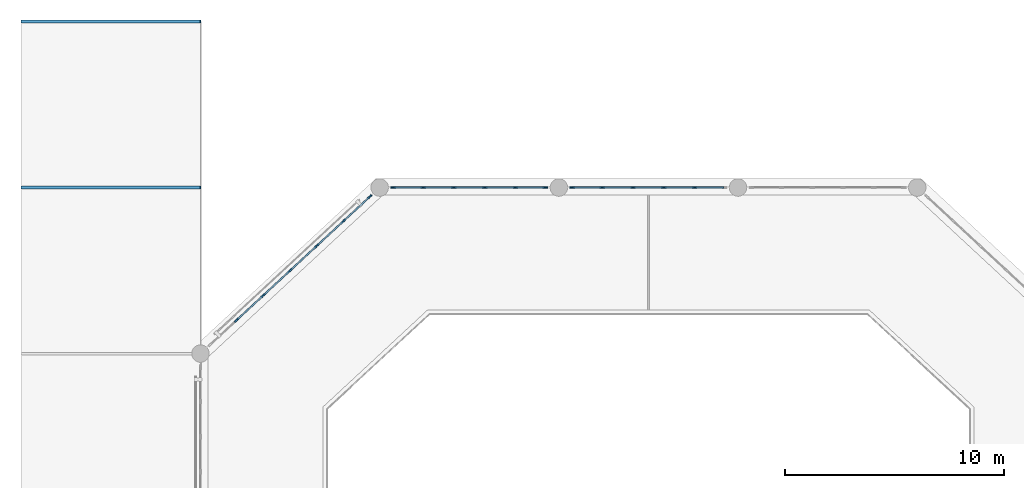
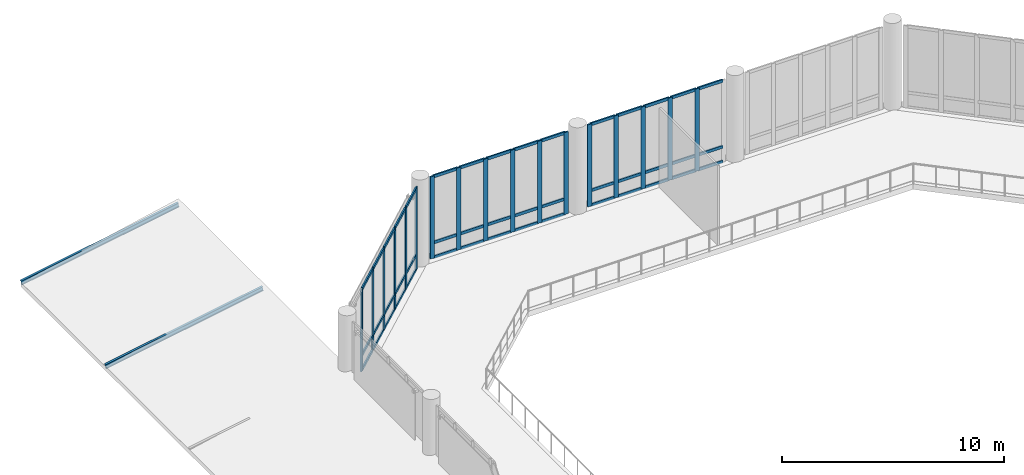
# One storey, part 15 of 57: 64 members, 3 elements without a shape of their own.
"""IFC4 building model written with IfcOpenShell, lengths in metres."""

from ifc_helpers import new_model, si_unit, direction, frame, origin, origin_2d, place, context, subcontext, project, spatial, rectangle, i_section, extrude, material, material_profile, profile_set, type_object, element, aggregate, save


model = new_model("IFC4")

# Units and contexts
model_context = context("Model", 3, precision=1e-05, world=origin(), true_north=direction((0.0, 1.0)))
body_context = subcontext(model_context, "Body", "Model", "MODEL_VIEW")
ifc_project = project(units=[si_unit("LENGTHUNIT", "METRE"), si_unit("AREAUNIT", "SQUARE_METRE"), si_unit("VOLUMEUNIT", "CUBIC_METRE"), si_unit("PLANEANGLEUNIT", "RADIAN"), si_unit("MASSUNIT", "GRAM", prefix="KILO")], contexts=[model_context])

# Site, building, storey
site_placement = place(None, origin())
site = spatial("IfcSite", under=ifc_project, at=site_placement, CompositionType="ELEMENT")
building_placement = place(site_placement, origin())
building = spatial("IfcBuilding", under=site, at=building_placement, Name="Qandaris Square Conservatory and Botanical Centre", CompositionType="ELEMENT")
storey_placement = place(building_placement, frame((0.0, 0.0, 5.39990234375)))
storey = spatial("IfcBuildingStorey", under=building, at=storey_placement, Name="L01", CompositionType="ELEMENT", Elevation=5.39990234375)

# Members
ifc_material_1 = material(Name="Steel S355", Category="steel")
ifc_material_profile_1 = material_profile(ifc_material_1, i_section(OverallWidth=0.1201171875, OverallDepth=0.239990234375, WebThickness=0.006103515625, FlangeThickness=0.009765625, FilletRadius=0.014892578125, at=origin_2d()), Name="IPE 240")
ifc_profile_set_1 = profile_set([ifc_material_profile_1], Name="Steel S355")
member_type_1 = type_object("IfcMemberType", Name="Colonnade Prairie Rafter IPE 240", PredefinedType="RAFTER", material=ifc_profile_set_1)
for number, where, z_axis, x_axis, name in (
    (1, (8.0, 115.39990234375, 0.0), (0.984924346364, 0.0, 0.172985640849), (0.0, 1.0, 0.0), "Colonnade West Rafter 060"),
    (2, (8.0, 123.0, 0.0), (0.984924346364, 0.0, 0.172985640849), (0.0, 1.0, 0.0), "Colonnade West Rafter 062"),
):
    element("IfcMember", number, at=place(storey_placement, frame(where, z_axis=z_axis, x_axis=x_axis)), inside=storey, type_object=member_type_1, Name=name, PredefinedType="RAFTER", context=body_context, shape_type="SweptSolid", body=[
        extrude(i_section(OverallWidth=0.1201171875, OverallDepth=0.239990234375, WebThickness=0.006103515625, FlangeThickness=0.009765625, FilletRadius=0.014892578125, at=origin_2d()), origin(), (0.0, 0.0, 1.0), 8.325439453125),
    ])

# Curtain wall, members
ifc_material_2 = material(Name="Anodised Aluminium", Category="aluminium")
curtain_wall_type_1 = type_object("IfcCurtainWallType", Name="Unitised Curtain Wall CW-1-704x452", PredefinedType="USERDEFINED", material=ifc_material_2)
curtain_wall_1_placement = place(storey_placement, origin())
curtain_wall_1 = element("IfcCurtainWall", 3, at=curtain_wall_1_placement, inside=storey, type_object=curtain_wall_type_1, Name="Curtain Wall CW-CON-L01-5-2", ObjectType="GLAZED CURTAIN WALL", PredefinedType="USERDEFINED")
ifc_material_profile_2 = material_profile(ifc_material_2, rectangle(XDim=0.074951171875, YDim=0.219970703125, at=origin_2d()), Name="ALU-MUL 75x220")
ifc_profile_set_2 = profile_set([ifc_material_profile_2], Name="Anodised Aluminium")
member_type_2 = type_object("IfcMemberType", Name="Conservatory Heavy Mullion 75x220", PredefinedType="MULLION", material=ifc_profile_set_2)
member_1_placement = place(storey_placement, frame((38.81201171875, 115.39990234375, 0.0), z_axis=(0.0, 0.0, 1.0), x_axis=(0.0, -1.0, 0.0)))
member_1 = element("IfcMember", 4, at=member_1_placement, type_object=member_type_2, Name="CW-1-704x452 mullion 2", PredefinedType="MULLION", context=body_context, shape_type="SweptSolid", body=[
    extrude(rectangle(XDim=0.074951171875, YDim=0.219970703125, at=origin_2d()), origin(), (0.0, 0.0, 1.0), 4.52001953125),
])
member_2_placement = place(storey_placement, frame((37.404052734375, 115.39990234375, 0.0), z_axis=(0.0, 0.0, 1.0), x_axis=(0.0, -1.0, 0.0)))
member_2 = element("IfcMember", 5, at=member_2_placement, type_object=member_type_2, Name="CW-1-704x452 mullion 3", PredefinedType="MULLION", context=body_context, shape_type="SweptSolid", body=[
    extrude(rectangle(XDim=0.074951171875, YDim=0.219970703125, at=origin_2d()), origin(), (0.0, 0.0, 1.0), 4.52001953125),
])
member_3_placement = place(storey_placement, frame((35.99609375, 115.39990234375, 0.0), z_axis=(0.0, 0.0, 1.0), x_axis=(0.0, -1.0, 0.0)))
member_3 = element("IfcMember", 6, at=member_3_placement, type_object=member_type_2, Name="CW-1-704x452 mullion 4", PredefinedType="MULLION", context=body_context, shape_type="SweptSolid", body=[
    extrude(rectangle(XDim=0.074951171875, YDim=0.219970703125, at=origin_2d()), origin(), (0.0, 0.0, 1.0), 4.52001953125),
])
member_4_placement = place(storey_placement, frame((34.587890625, 115.39990234375, 0.0), z_axis=(0.0, 0.0, 1.0), x_axis=(0.0, -1.0, 0.0)))
member_4 = element("IfcMember", 7, at=member_4_placement, type_object=member_type_2, Name="CW-1-704x452 mullion 5", PredefinedType="MULLION", context=body_context, shape_type="SweptSolid", body=[
    extrude(rectangle(XDim=0.074951171875, YDim=0.219970703125, at=origin_2d()), origin(), (0.0, 0.0, 1.0), 4.52001953125),
])
member_5_placement = place(storey_placement, frame((33.217529296875, 115.39990234375, 0.0), z_axis=(0.0, 0.0, 1.0), x_axis=(0.0, -1.0, 0.0)))
member_5 = element("IfcMember", 8, at=member_5_placement, type_object=member_type_2, Name="CW-1-704x452 mullion 6", PredefinedType="MULLION", context=body_context, shape_type="SweptSolid", body=[
    extrude(rectangle(XDim=0.074951171875, YDim=0.219970703125, at=origin_2d()), origin(), (0.0, 0.0, 1.0), 4.52001953125),
])

curtain_wall_2_placement = place(storey_placement, origin())
curtain_wall_2 = element("IfcCurtainWall", 9, at=curtain_wall_2_placement, inside=storey, type_object=curtain_wall_type_1, Name="Curtain Wall CW-CON-L01-5-3", ObjectType="GLAZED CURTAIN WALL", PredefinedType="USERDEFINED")
member_6_placement = place(storey_placement, frame((31.982421875, 115.39990234375, 0.0), z_axis=(0.0, 0.0, 1.0), x_axis=(0.0, -1.0, 0.0)))
member_6 = element("IfcMember", 10, at=member_6_placement, type_object=member_type_2, Name="CW-1-704x452 mullion 1", PredefinedType="MULLION", context=body_context, shape_type="SweptSolid", body=[
    extrude(rectangle(XDim=0.074951171875, YDim=0.219970703125, at=origin_2d()), origin(), (0.0, 0.0, 1.0), 4.52001953125),
])
member_7_placement = place(storey_placement, frame((30.612060546875, 115.39990234375, 0.0), z_axis=(0.0, 0.0, 1.0), x_axis=(0.0, -1.0, 0.0)))
member_7 = element("IfcMember", 11, at=member_7_placement, type_object=member_type_2, Name="CW-1-704x452 mullion 2", PredefinedType="MULLION", context=body_context, shape_type="SweptSolid", body=[
    extrude(rectangle(XDim=0.074951171875, YDim=0.219970703125, at=origin_2d()), origin(), (0.0, 0.0, 1.0), 4.52001953125),
])
member_8_placement = place(storey_placement, frame((29.2041015625, 115.39990234375, 0.0), z_axis=(0.0, 0.0, 1.0), x_axis=(0.0, -1.0, 0.0)))
member_8 = element("IfcMember", 12, at=member_8_placement, type_object=member_type_2, Name="CW-1-704x452 mullion 3", PredefinedType="MULLION", context=body_context, shape_type="SweptSolid", body=[
    extrude(rectangle(XDim=0.074951171875, YDim=0.219970703125, at=origin_2d()), origin(), (0.0, 0.0, 1.0), 4.52001953125),
])
member_9_placement = place(storey_placement, frame((27.7958984375, 115.39990234375, 0.0), z_axis=(0.0, 0.0, 1.0), x_axis=(0.0, -1.0, 0.0)))
member_9 = element("IfcMember", 13, at=member_9_placement, type_object=member_type_2, Name="CW-1-704x452 mullion 4", PredefinedType="MULLION", context=body_context, shape_type="SweptSolid", body=[
    extrude(rectangle(XDim=0.074951171875, YDim=0.219970703125, at=origin_2d()), origin(), (0.0, 0.0, 1.0), 4.52001953125),
])
member_10_placement = place(storey_placement, frame((26.387939453125, 115.39990234375, 0.0), z_axis=(0.0, 0.0, 1.0), x_axis=(0.0, -1.0, 0.0)))
member_10 = element("IfcMember", 14, at=member_10_placement, type_object=member_type_2, Name="CW-1-704x452 mullion 5", PredefinedType="MULLION", context=body_context, shape_type="SweptSolid", body=[
    extrude(rectangle(XDim=0.074951171875, YDim=0.219970703125, at=origin_2d()), origin(), (0.0, 0.0, 1.0), 4.52001953125),
])
member_11_placement = place(storey_placement, frame((25.017578125, 115.39990234375, 0.0), z_axis=(0.0, 0.0, 1.0), x_axis=(0.0, -1.0, 0.0)))
member_11 = element("IfcMember", 15, at=member_11_placement, type_object=member_type_2, Name="CW-1-704x452 mullion 6", PredefinedType="MULLION", context=body_context, shape_type="SweptSolid", body=[
    extrude(rectangle(XDim=0.074951171875, YDim=0.219970703125, at=origin_2d()), origin(), (0.0, 0.0, 1.0), 4.52001953125),
])

curtain_wall_type_2 = type_object("IfcCurtainWallType", Name="Unitised Curtain Wall CW-1-1002x452", PredefinedType="USERDEFINED", material=ifc_material_2)
curtain_wall_3_placement = place(storey_placement, origin())
curtain_wall_3 = element("IfcCurtainWall", 16, at=curtain_wall_3_placement, inside=storey, type_object=curtain_wall_type_2, Name="Curtain Wall CW-CON-L01-6-1", ObjectType="GLAZED CURTAIN WALL", PredefinedType="USERDEFINED")
member_12_placement = place(storey_placement, frame((23.947021484375, 114.980224609375, 0.0), z_axis=(0.0, 0.0, 1.0), x_axis=(0.679761784592, -0.733432966404, 0.0)))
member_12 = element("IfcMember", 17, at=member_12_placement, type_object=member_type_2, Name="CW-1-1002x452 mullion 1", PredefinedType="MULLION", context=body_context, shape_type="SweptSolid", body=[
    extrude(rectangle(XDim=0.074951171875, YDim=0.219970703125, at=origin_2d()), origin(), (0.0, 0.0, 1.0), 4.52001953125),
])
member_13_placement = place(storey_placement, frame((22.749755859375, 113.870361328125, 0.0), z_axis=(0.0, 0.0, 1.0), x_axis=(0.679761784592, -0.733432966404, 0.0)))
member_13 = element("IfcMember", 18, at=member_13_placement, type_object=member_type_2, Name="CW-1-1002x452 mullion 2", PredefinedType="MULLION", context=body_context, shape_type="SweptSolid", body=[
    extrude(rectangle(XDim=0.074951171875, YDim=0.219970703125, at=origin_2d()), origin(), (0.0, 0.0, 1.0), 4.52001953125),
])
member_14_placement = place(storey_placement, frame((21.52490234375, 112.7353515625, 0.0), z_axis=(0.0, 0.0, 1.0), x_axis=(0.679761784592, -0.733432966404, 0.0)))
member_14 = element("IfcMember", 19, at=member_14_placement, type_object=member_type_2, Name="CW-1-1002x452 mullion 3", PredefinedType="MULLION", context=body_context, shape_type="SweptSolid", body=[
    extrude(rectangle(XDim=0.074951171875, YDim=0.219970703125, at=origin_2d()), origin(), (0.0, 0.0, 1.0), 4.52001953125),
])
member_15_placement = place(storey_placement, frame((20.300048828125, 111.60009765625, 0.0), z_axis=(0.0, 0.0, 1.0), x_axis=(0.679761784592, -0.733432966404, 0.0)))
member_15 = element("IfcMember", 20, at=member_15_placement, type_object=member_type_2, Name="CW-1-1002x452 mullion 4", PredefinedType="MULLION", context=body_context, shape_type="SweptSolid", body=[
    extrude(rectangle(XDim=0.074951171875, YDim=0.219970703125, at=origin_2d()), origin(), (0.0, 0.0, 1.0), 4.52001953125),
])
member_16_placement = place(storey_placement, frame((19.0751953125, 110.46484375, 0.0), z_axis=(0.0, 0.0, 1.0), x_axis=(0.679761784592, -0.733432966404, 0.0)))
member_16 = element("IfcMember", 21, at=member_16_placement, type_object=member_type_2, Name="CW-1-1002x452 mullion 5", PredefinedType="MULLION", context=body_context, shape_type="SweptSolid", body=[
    extrude(rectangle(XDim=0.074951171875, YDim=0.219970703125, at=origin_2d()), origin(), (0.0, 0.0, 1.0), 4.52001953125),
])
member_17_placement = place(storey_placement, frame((17.850341796875, 109.32958984375, 0.0), z_axis=(0.0, 0.0, 1.0), x_axis=(0.679761784592, -0.733432966404, 0.0)))
member_17 = element("IfcMember", 22, at=member_17_placement, type_object=member_type_2, Name="CW-1-1002x452 mullion 6", PredefinedType="MULLION", context=body_context, shape_type="SweptSolid", body=[
    extrude(rectangle(XDim=0.074951171875, YDim=0.219970703125, at=origin_2d()), origin(), (0.0, 0.0, 1.0), 4.52001953125),
])

# Member
ifc_material_profile_3 = material_profile(ifc_material_2, rectangle(XDim=0.074951171875, YDim=0.159912109375, at=origin_2d()), Name="ALU-TRN 75x160")
ifc_profile_set_3 = profile_set([ifc_material_profile_3], Name="Anodised Aluminium")
member_type_3 = type_object("IfcMemberType", Name="Conservatory Heavy Transom 75x160", PredefinedType="USERDEFINED", material=ifc_profile_set_3)
member_18_placement = place(storey_placement, frame((40.14501953125, 115.39990234375, 0.03759765625), z_axis=(-1.0, 0.0, 0.0), x_axis=(0.0, -1.0, 0.0)))
member_18 = element("IfcMember", 23, at=member_18_placement, type_object=member_type_3, Name="CW-1-704x452 transom 1.1", ObjectType="TRANSOM", PredefinedType="USERDEFINED", context=body_context, shape_type="SweptSolid", body=[
    extrude(rectangle(XDim=0.074951171875, YDim=0.159912109375, at=origin_2d()), origin(), (0.0, 0.0, 1.0), 1.29541015625),
])

member_19_placement = place(storey_placement, frame((40.14501953125, 115.39990234375, 0.85009765625), z_axis=(-1.0, 0.0, 0.0), x_axis=(0.0, -1.0, 0.0)))
member_19 = element("IfcMember", 24, at=member_19_placement, type_object=member_type_3, Name="CW-1-704x452 transom 1.2", ObjectType="TRANSOM", PredefinedType="USERDEFINED", context=body_context, shape_type="SweptSolid", body=[
    extrude(rectangle(XDim=0.074951171875, YDim=0.159912109375, at=origin_2d()), origin(), (0.0, 0.0, 1.0), 1.29541015625),
])

member_20_placement = place(storey_placement, frame((40.14501953125, 115.39990234375, 4.482666015625), z_axis=(-1.0, 0.0, 0.0), x_axis=(0.0, -1.0, 0.0)))
member_20 = element("IfcMember", 25, at=member_20_placement, type_object=member_type_3, Name="CW-1-704x452 transom 1.3", ObjectType="TRANSOM", PredefinedType="USERDEFINED", context=body_context, shape_type="SweptSolid", body=[
    extrude(rectangle(XDim=0.074951171875, YDim=0.159912109375, at=origin_2d()), origin(), (0.0, 0.0, 1.0), 1.29541015625),
])

member_21_placement = place(storey_placement, frame((38.7744140625, 115.39990234375, 0.03759765625), z_axis=(-1.0, 0.0, 0.0), x_axis=(0.0, -1.0, 0.0)))
member_21 = element("IfcMember", 26, at=member_21_placement, type_object=member_type_3, Name="CW-1-704x452 transom 2.1", ObjectType="TRANSOM", PredefinedType="USERDEFINED", context=body_context, shape_type="SweptSolid", body=[
    extrude(rectangle(XDim=0.074951171875, YDim=0.159912109375, at=origin_2d()), origin(), (0.0, 0.0, 1.0), 1.3330078125),
])

member_22_placement = place(storey_placement, frame((38.7744140625, 115.39990234375, 0.85009765625), z_axis=(-1.0, 0.0, 0.0), x_axis=(0.0, -1.0, 0.0)))
member_22 = element("IfcMember", 27, at=member_22_placement, type_object=member_type_3, Name="CW-1-704x452 transom 2.2", ObjectType="TRANSOM", PredefinedType="USERDEFINED", context=body_context, shape_type="SweptSolid", body=[
    extrude(rectangle(XDim=0.074951171875, YDim=0.159912109375, at=origin_2d()), origin(), (0.0, 0.0, 1.0), 1.3330078125),
])

member_23_placement = place(storey_placement, frame((38.7744140625, 115.39990234375, 4.482666015625), z_axis=(-1.0, 0.0, 0.0), x_axis=(0.0, -1.0, 0.0)))
member_23 = element("IfcMember", 28, at=member_23_placement, type_object=member_type_3, Name="CW-1-704x452 transom 2.3", ObjectType="TRANSOM", PredefinedType="USERDEFINED", context=body_context, shape_type="SweptSolid", body=[
    extrude(rectangle(XDim=0.074951171875, YDim=0.159912109375, at=origin_2d()), origin(), (0.0, 0.0, 1.0), 1.3330078125),
])

member_24_placement = place(storey_placement, frame((37.366455078125, 115.39990234375, 0.03759765625), z_axis=(-1.0, 0.0, 0.0), x_axis=(0.0, -1.0, 0.0)))
member_24 = element("IfcMember", 29, at=member_24_placement, type_object=member_type_3, Name="CW-1-704x452 transom 3.1", ObjectType="TRANSOM", PredefinedType="USERDEFINED", context=body_context, shape_type="SweptSolid", body=[
    extrude(rectangle(XDim=0.074951171875, YDim=0.159912109375, at=origin_2d()), origin(), (0.0, 0.0, 1.0), 1.3330078125),
])

member_25_placement = place(storey_placement, frame((37.366455078125, 115.39990234375, 0.85009765625), z_axis=(-1.0, 0.0, 0.0), x_axis=(0.0, -1.0, 0.0)))
member_25 = element("IfcMember", 30, at=member_25_placement, type_object=member_type_3, Name="CW-1-704x452 transom 3.2", ObjectType="TRANSOM", PredefinedType="USERDEFINED", context=body_context, shape_type="SweptSolid", body=[
    extrude(rectangle(XDim=0.074951171875, YDim=0.159912109375, at=origin_2d()), origin(), (0.0, 0.0, 1.0), 1.3330078125),
])

member_26_placement = place(storey_placement, frame((37.366455078125, 115.39990234375, 4.482666015625), z_axis=(-1.0, 0.0, 0.0), x_axis=(0.0, -1.0, 0.0)))
member_26 = element("IfcMember", 31, at=member_26_placement, type_object=member_type_3, Name="CW-1-704x452 transom 3.3", ObjectType="TRANSOM", PredefinedType="USERDEFINED", context=body_context, shape_type="SweptSolid", body=[
    extrude(rectangle(XDim=0.074951171875, YDim=0.159912109375, at=origin_2d()), origin(), (0.0, 0.0, 1.0), 1.3330078125),
])

member_27_placement = place(storey_placement, frame((35.95849609375, 115.39990234375, 0.03759765625), z_axis=(-1.0, 0.0, 0.0), x_axis=(0.0, -1.0, 0.0)))
member_27 = element("IfcMember", 32, at=member_27_placement, type_object=member_type_3, Name="CW-1-704x452 transom 4.1", ObjectType="TRANSOM", PredefinedType="USERDEFINED", context=body_context, shape_type="SweptSolid", body=[
    extrude(rectangle(XDim=0.074951171875, YDim=0.159912109375, at=origin_2d()), origin(), (0.0, 0.0, 1.0), 1.3330078125),
])

member_28_placement = place(storey_placement, frame((35.95849609375, 115.39990234375, 0.85009765625), z_axis=(-1.0, 0.0, 0.0), x_axis=(0.0, -1.0, 0.0)))
member_28 = element("IfcMember", 33, at=member_28_placement, type_object=member_type_3, Name="CW-1-704x452 transom 4.2", ObjectType="TRANSOM", PredefinedType="USERDEFINED", context=body_context, shape_type="SweptSolid", body=[
    extrude(rectangle(XDim=0.074951171875, YDim=0.159912109375, at=origin_2d()), origin(), (0.0, 0.0, 1.0), 1.3330078125),
])

member_29_placement = place(storey_placement, frame((35.95849609375, 115.39990234375, 4.482666015625), z_axis=(-1.0, 0.0, 0.0), x_axis=(0.0, -1.0, 0.0)))
member_29 = element("IfcMember", 34, at=member_29_placement, type_object=member_type_3, Name="CW-1-704x452 transom 4.3", ObjectType="TRANSOM", PredefinedType="USERDEFINED", context=body_context, shape_type="SweptSolid", body=[
    extrude(rectangle(XDim=0.074951171875, YDim=0.159912109375, at=origin_2d()), origin(), (0.0, 0.0, 1.0), 1.3330078125),
])

member_30_placement = place(storey_placement, frame((34.550537109375, 115.39990234375, 0.03759765625), z_axis=(-1.0, 0.0, 0.0), x_axis=(0.0, -1.0, 0.0)))
member_30 = element("IfcMember", 35, at=member_30_placement, type_object=member_type_3, Name="CW-1-704x452 transom 5.1", ObjectType="TRANSOM", PredefinedType="USERDEFINED", context=body_context, shape_type="SweptSolid", body=[
    extrude(rectangle(XDim=0.074951171875, YDim=0.159912109375, at=origin_2d()), origin(), (0.0, 0.0, 1.0), 1.295654296875),
])

member_31_placement = place(storey_placement, frame((34.550537109375, 115.39990234375, 0.85009765625), z_axis=(-1.0, 0.0, 0.0), x_axis=(0.0, -1.0, 0.0)))
member_31 = element("IfcMember", 36, at=member_31_placement, type_object=member_type_3, Name="CW-1-704x452 transom 5.2", ObjectType="TRANSOM", PredefinedType="USERDEFINED", context=body_context, shape_type="SweptSolid", body=[
    extrude(rectangle(XDim=0.074951171875, YDim=0.159912109375, at=origin_2d()), origin(), (0.0, 0.0, 1.0), 1.295654296875),
])

member_32_placement = place(storey_placement, frame((34.550537109375, 115.39990234375, 4.482666015625), z_axis=(-1.0, 0.0, 0.0), x_axis=(0.0, -1.0, 0.0)))
member_32 = element("IfcMember", 37, at=member_32_placement, type_object=member_type_3, Name="CW-1-704x452 transom 5.3", ObjectType="TRANSOM", PredefinedType="USERDEFINED", context=body_context, shape_type="SweptSolid", body=[
    extrude(rectangle(XDim=0.074951171875, YDim=0.159912109375, at=origin_2d()), origin(), (0.0, 0.0, 1.0), 1.295654296875),
])

aggregate(curtain_wall_1, [member_1, member_2, member_3, member_4, member_5, member_18, member_19, member_20, member_21, member_22, member_23, member_24, member_25, member_26, member_27, member_28, member_29, member_30, member_31, member_32])

member_33_placement = place(storey_placement, frame((31.945068359375, 115.39990234375, 0.03759765625), z_axis=(-1.0, 0.0, 0.0), x_axis=(0.0, -1.0, 0.0)))
member_33 = element("IfcMember", 38, at=member_33_placement, type_object=member_type_3, Name="CW-1-704x452 transom 1.1", ObjectType="TRANSOM", PredefinedType="USERDEFINED", context=body_context, shape_type="SweptSolid", body=[
    extrude(rectangle(XDim=0.074951171875, YDim=0.159912109375, at=origin_2d()), origin(), (0.0, 0.0, 1.0), 1.295654296875),
])

member_34_placement = place(storey_placement, frame((31.945068359375, 115.39990234375, 0.85009765625), z_axis=(-1.0, 0.0, 0.0), x_axis=(0.0, -1.0, 0.0)))
member_34 = element("IfcMember", 39, at=member_34_placement, type_object=member_type_3, Name="CW-1-704x452 transom 1.2", ObjectType="TRANSOM", PredefinedType="USERDEFINED", context=body_context, shape_type="SweptSolid", body=[
    extrude(rectangle(XDim=0.074951171875, YDim=0.159912109375, at=origin_2d()), origin(), (0.0, 0.0, 1.0), 1.295654296875),
])

member_35_placement = place(storey_placement, frame((31.945068359375, 115.39990234375, 4.482666015625), z_axis=(-1.0, 0.0, 0.0), x_axis=(0.0, -1.0, 0.0)))
member_35 = element("IfcMember", 40, at=member_35_placement, type_object=member_type_3, Name="CW-1-704x452 transom 1.3", ObjectType="TRANSOM", PredefinedType="USERDEFINED", context=body_context, shape_type="SweptSolid", body=[
    extrude(rectangle(XDim=0.074951171875, YDim=0.159912109375, at=origin_2d()), origin(), (0.0, 0.0, 1.0), 1.295654296875),
])

member_36_placement = place(storey_placement, frame((30.574462890625, 115.39990234375, 0.03759765625), z_axis=(-1.0, 0.0, 0.0), x_axis=(0.0, -1.0, 0.0)))
member_36 = element("IfcMember", 41, at=member_36_placement, type_object=member_type_3, Name="CW-1-704x452 transom 2.1", ObjectType="TRANSOM", PredefinedType="USERDEFINED", context=body_context, shape_type="SweptSolid", body=[
    extrude(rectangle(XDim=0.074951171875, YDim=0.159912109375, at=origin_2d()), origin(), (0.0, 0.0, 1.0), 1.3330078125),
])

member_37_placement = place(storey_placement, frame((30.574462890625, 115.39990234375, 0.85009765625), z_axis=(-1.0, 0.0, 0.0), x_axis=(0.0, -1.0, 0.0)))
member_37 = element("IfcMember", 42, at=member_37_placement, type_object=member_type_3, Name="CW-1-704x452 transom 2.2", ObjectType="TRANSOM", PredefinedType="USERDEFINED", context=body_context, shape_type="SweptSolid", body=[
    extrude(rectangle(XDim=0.074951171875, YDim=0.159912109375, at=origin_2d()), origin(), (0.0, 0.0, 1.0), 1.3330078125),
])

member_38_placement = place(storey_placement, frame((30.574462890625, 115.39990234375, 4.482666015625), z_axis=(-1.0, 0.0, 0.0), x_axis=(0.0, -1.0, 0.0)))
member_38 = element("IfcMember", 43, at=member_38_placement, type_object=member_type_3, Name="CW-1-704x452 transom 2.3", ObjectType="TRANSOM", PredefinedType="USERDEFINED", context=body_context, shape_type="SweptSolid", body=[
    extrude(rectangle(XDim=0.074951171875, YDim=0.159912109375, at=origin_2d()), origin(), (0.0, 0.0, 1.0), 1.3330078125),
])

member_39_placement = place(storey_placement, frame((29.16650390625, 115.39990234375, 0.03759765625), z_axis=(-1.0, 0.0, 0.0), x_axis=(0.0, -1.0, 0.0)))
member_39 = element("IfcMember", 44, at=member_39_placement, type_object=member_type_3, Name="CW-1-704x452 transom 3.1", ObjectType="TRANSOM", PredefinedType="USERDEFINED", context=body_context, shape_type="SweptSolid", body=[
    extrude(rectangle(XDim=0.074951171875, YDim=0.159912109375, at=origin_2d()), origin(), (0.0, 0.0, 1.0), 1.3330078125),
])

member_40_placement = place(storey_placement, frame((29.16650390625, 115.39990234375, 0.85009765625), z_axis=(-1.0, 0.0, 0.0), x_axis=(0.0, -1.0, 0.0)))
member_40 = element("IfcMember", 45, at=member_40_placement, type_object=member_type_3, Name="CW-1-704x452 transom 3.2", ObjectType="TRANSOM", PredefinedType="USERDEFINED", context=body_context, shape_type="SweptSolid", body=[
    extrude(rectangle(XDim=0.074951171875, YDim=0.159912109375, at=origin_2d()), origin(), (0.0, 0.0, 1.0), 1.3330078125),
])

member_41_placement = place(storey_placement, frame((29.16650390625, 115.39990234375, 4.482666015625), z_axis=(-1.0, 0.0, 0.0), x_axis=(0.0, -1.0, 0.0)))
member_41 = element("IfcMember", 46, at=member_41_placement, type_object=member_type_3, Name="CW-1-704x452 transom 3.3", ObjectType="TRANSOM", PredefinedType="USERDEFINED", context=body_context, shape_type="SweptSolid", body=[
    extrude(rectangle(XDim=0.074951171875, YDim=0.159912109375, at=origin_2d()), origin(), (0.0, 0.0, 1.0), 1.3330078125),
])

member_42_placement = place(storey_placement, frame((27.758544921875, 115.39990234375, 0.03759765625), z_axis=(-1.0, 0.0, 0.0), x_axis=(0.0, -1.0, 0.0)))
member_42 = element("IfcMember", 47, at=member_42_placement, type_object=member_type_3, Name="CW-1-704x452 transom 4.1", ObjectType="TRANSOM", PredefinedType="USERDEFINED", context=body_context, shape_type="SweptSolid", body=[
    extrude(rectangle(XDim=0.074951171875, YDim=0.159912109375, at=origin_2d()), origin(), (0.0, 0.0, 1.0), 1.3330078125),
])

member_43_placement = place(storey_placement, frame((27.758544921875, 115.39990234375, 0.85009765625), z_axis=(-1.0, 0.0, 0.0), x_axis=(0.0, -1.0, 0.0)))
member_43 = element("IfcMember", 48, at=member_43_placement, type_object=member_type_3, Name="CW-1-704x452 transom 4.2", ObjectType="TRANSOM", PredefinedType="USERDEFINED", context=body_context, shape_type="SweptSolid", body=[
    extrude(rectangle(XDim=0.074951171875, YDim=0.159912109375, at=origin_2d()), origin(), (0.0, 0.0, 1.0), 1.3330078125),
])

member_44_placement = place(storey_placement, frame((27.758544921875, 115.39990234375, 4.482666015625), z_axis=(-1.0, 0.0, 0.0), x_axis=(0.0, -1.0, 0.0)))
member_44 = element("IfcMember", 49, at=member_44_placement, type_object=member_type_3, Name="CW-1-704x452 transom 4.3", ObjectType="TRANSOM", PredefinedType="USERDEFINED", context=body_context, shape_type="SweptSolid", body=[
    extrude(rectangle(XDim=0.074951171875, YDim=0.159912109375, at=origin_2d()), origin(), (0.0, 0.0, 1.0), 1.3330078125),
])

member_45_placement = place(storey_placement, frame((26.3505859375, 115.39990234375, 0.03759765625), z_axis=(-1.0, 0.0, 0.0), x_axis=(0.0, -1.0, 0.0)))
member_45 = element("IfcMember", 50, at=member_45_placement, type_object=member_type_3, Name="CW-1-704x452 transom 5.1", ObjectType="TRANSOM", PredefinedType="USERDEFINED", context=body_context, shape_type="SweptSolid", body=[
    extrude(rectangle(XDim=0.074951171875, YDim=0.159912109375, at=origin_2d()), origin(), (0.0, 0.0, 1.0), 1.295654296875),
])

member_46_placement = place(storey_placement, frame((26.3505859375, 115.39990234375, 0.85009765625), z_axis=(-1.0, 0.0, 0.0), x_axis=(0.0, -1.0, 0.0)))
member_46 = element("IfcMember", 51, at=member_46_placement, type_object=member_type_3, Name="CW-1-704x452 transom 5.2", ObjectType="TRANSOM", PredefinedType="USERDEFINED", context=body_context, shape_type="SweptSolid", body=[
    extrude(rectangle(XDim=0.074951171875, YDim=0.159912109375, at=origin_2d()), origin(), (0.0, 0.0, 1.0), 1.295654296875),
])

member_47_placement = place(storey_placement, frame((26.3505859375, 115.39990234375, 4.482666015625), z_axis=(-1.0, 0.0, 0.0), x_axis=(0.0, -1.0, 0.0)))
member_47 = element("IfcMember", 52, at=member_47_placement, type_object=member_type_3, Name="CW-1-704x452 transom 5.3", ObjectType="TRANSOM", PredefinedType="USERDEFINED", context=body_context, shape_type="SweptSolid", body=[
    extrude(rectangle(XDim=0.074951171875, YDim=0.159912109375, at=origin_2d()), origin(), (0.0, 0.0, 1.0), 1.295654296875),
])

aggregate(curtain_wall_2, [member_6, member_7, member_8, member_9, member_10, member_11, member_33, member_34, member_35, member_36, member_37, member_38, member_39, member_40, member_41, member_42, member_43, member_44, member_45, member_46, member_47])

member_48_placement = place(storey_placement, frame((23.919677734375, 114.954833984375, 0.03759765625), z_axis=(-0.733401706001, -0.679795511632, 0.0), x_axis=(0.679795511632, -0.733401706001, 0.0)))
member_48 = element("IfcMember", 53, at=member_48_placement, type_object=member_type_3, Name="CW-1-1002x452 transom 1.1", ObjectType="TRANSOM", PredefinedType="USERDEFINED", context=body_context, shape_type="SweptSolid", body=[
    extrude(rectangle(XDim=0.074951171875, YDim=0.159912109375, at=origin_2d()), origin(), (0.0, 0.0, 1.0), 1.5576171875),
])

member_49_placement = place(storey_placement, frame((23.919677734375, 114.954833984375, 0.85009765625), z_axis=(-0.733401706001, -0.679795511632, 0.0), x_axis=(0.679795511632, -0.733401706001, 0.0)))
member_49 = element("IfcMember", 54, at=member_49_placement, type_object=member_type_3, Name="CW-1-1002x452 transom 1.2", ObjectType="TRANSOM", PredefinedType="USERDEFINED", context=body_context, shape_type="SweptSolid", body=[
    extrude(rectangle(XDim=0.074951171875, YDim=0.159912109375, at=origin_2d()), origin(), (0.0, 0.0, 1.0), 1.5576171875),
])

member_50_placement = place(storey_placement, frame((23.919677734375, 114.954833984375, 4.482666015625), z_axis=(-0.733401706001, -0.679795511632, 0.0), x_axis=(0.679795511632, -0.733401706001, 0.0)))
member_50 = element("IfcMember", 55, at=member_50_placement, type_object=member_type_3, Name="CW-1-1002x452 transom 1.3", ObjectType="TRANSOM", PredefinedType="USERDEFINED", context=body_context, shape_type="SweptSolid", body=[
    extrude(rectangle(XDim=0.074951171875, YDim=0.159912109375, at=origin_2d()), origin(), (0.0, 0.0, 1.0), 1.5576171875),
])

member_51_placement = place(storey_placement, frame((22.72216796875, 113.844970703125, 0.03759765625), z_axis=(-0.733387482848, -0.679810856049, 0.0), x_axis=(0.679810856049, -0.733387482848, 0.0)))
member_51 = element("IfcMember", 56, at=member_51_placement, type_object=member_type_3, Name="CW-1-1002x452 transom 2.1", ObjectType="TRANSOM", PredefinedType="USERDEFINED", context=body_context, shape_type="SweptSolid", body=[
    extrude(rectangle(XDim=0.074951171875, YDim=0.159912109375, at=origin_2d()), origin(), (0.0, 0.0, 1.0), 1.594970703125),
])

member_52_placement = place(storey_placement, frame((22.72216796875, 113.844970703125, 0.85009765625), z_axis=(-0.733387482848, -0.679810856049, 0.0), x_axis=(0.679810856049, -0.733387482848, 0.0)))
member_52 = element("IfcMember", 57, at=member_52_placement, type_object=member_type_3, Name="CW-1-1002x452 transom 2.2", ObjectType="TRANSOM", PredefinedType="USERDEFINED", context=body_context, shape_type="SweptSolid", body=[
    extrude(rectangle(XDim=0.074951171875, YDim=0.159912109375, at=origin_2d()), origin(), (0.0, 0.0, 1.0), 1.594970703125),
])

member_53_placement = place(storey_placement, frame((22.72216796875, 113.844970703125, 4.482666015625), z_axis=(-0.733387482848, -0.679810856049, 0.0), x_axis=(0.679810856049, -0.733387482848, 0.0)))
member_53 = element("IfcMember", 58, at=member_53_placement, type_object=member_type_3, Name="CW-1-1002x452 transom 2.3", ObjectType="TRANSOM", PredefinedType="USERDEFINED", context=body_context, shape_type="SweptSolid", body=[
    extrude(rectangle(XDim=0.074951171875, YDim=0.159912109375, at=origin_2d()), origin(), (0.0, 0.0, 1.0), 1.594970703125),
])

member_54_placement = place(storey_placement, frame((21.497314453125, 112.709716796875, 0.03759765625), z_axis=(-0.733458213943, -0.679734542597, 0.0), x_axis=(0.679734542597, -0.733458213943, 0.0)))
member_54 = element("IfcMember", 59, at=member_54_placement, type_object=member_type_3, Name="CW-1-1002x452 transom 3.1", ObjectType="TRANSOM", PredefinedType="USERDEFINED", context=body_context, shape_type="SweptSolid", body=[
    extrude(rectangle(XDim=0.074951171875, YDim=0.159912109375, at=origin_2d()), origin(), (0.0, 0.0, 1.0), 1.594970703125),
])

member_55_placement = place(storey_placement, frame((21.497314453125, 112.709716796875, 0.85009765625), z_axis=(-0.733458213943, -0.679734542597, 0.0), x_axis=(0.679734542597, -0.733458213943, 0.0)))
member_55 = element("IfcMember", 60, at=member_55_placement, type_object=member_type_3, Name="CW-1-1002x452 transom 3.2", ObjectType="TRANSOM", PredefinedType="USERDEFINED", context=body_context, shape_type="SweptSolid", body=[
    extrude(rectangle(XDim=0.074951171875, YDim=0.159912109375, at=origin_2d()), origin(), (0.0, 0.0, 1.0), 1.594970703125),
])

member_56_placement = place(storey_placement, frame((21.497314453125, 112.709716796875, 4.482666015625), z_axis=(-0.733458213943, -0.679734542597, 0.0), x_axis=(0.679734542597, -0.733458213943, 0.0)))
member_56 = element("IfcMember", 61, at=member_56_placement, type_object=member_type_3, Name="CW-1-1002x452 transom 3.3", ObjectType="TRANSOM", PredefinedType="USERDEFINED", context=body_context, shape_type="SweptSolid", body=[
    extrude(rectangle(XDim=0.074951171875, YDim=0.159912109375, at=origin_2d()), origin(), (0.0, 0.0, 1.0), 1.594970703125),
])

member_57_placement = place(storey_placement, frame((20.2724609375, 111.574462890625, 0.03759765625), z_axis=(-0.733458213943, -0.679734542597, 0.0), x_axis=(0.679734542597, -0.733458213943, 0.0)))
member_57 = element("IfcMember", 62, at=member_57_placement, type_object=member_type_3, Name="CW-1-1002x452 transom 4.1", ObjectType="TRANSOM", PredefinedType="USERDEFINED", context=body_context, shape_type="SweptSolid", body=[
    extrude(rectangle(XDim=0.074951171875, YDim=0.159912109375, at=origin_2d()), origin(), (0.0, 0.0, 1.0), 1.594970703125),
])

member_58_placement = place(storey_placement, frame((20.2724609375, 111.574462890625, 0.85009765625), z_axis=(-0.733458213943, -0.679734542597, 0.0), x_axis=(0.679734542597, -0.733458213943, 0.0)))
member_58 = element("IfcMember", 63, at=member_58_placement, type_object=member_type_3, Name="CW-1-1002x452 transom 4.2", ObjectType="TRANSOM", PredefinedType="USERDEFINED", context=body_context, shape_type="SweptSolid", body=[
    extrude(rectangle(XDim=0.074951171875, YDim=0.159912109375, at=origin_2d()), origin(), (0.0, 0.0, 1.0), 1.594970703125),
])

member_59_placement = place(storey_placement, frame((20.2724609375, 111.574462890625, 4.482666015625), z_axis=(-0.733458213943, -0.679734542597, 0.0), x_axis=(0.679734542597, -0.733458213943, 0.0)))
member_59 = element("IfcMember", 64, at=member_59_placement, type_object=member_type_3, Name="CW-1-1002x452 transom 4.3", ObjectType="TRANSOM", PredefinedType="USERDEFINED", context=body_context, shape_type="SweptSolid", body=[
    extrude(rectangle(XDim=0.074951171875, YDim=0.159912109375, at=origin_2d()), origin(), (0.0, 0.0, 1.0), 1.594970703125),
])

member_60_placement = place(storey_placement, frame((19.047607421875, 110.439208984375, 0.03759765625), z_axis=(-0.733458213943, -0.679734542597, 0.0), x_axis=(0.679734542597, -0.733458213943, 0.0)))
member_60 = element("IfcMember", 65, at=member_60_placement, type_object=member_type_3, Name="CW-1-1002x452 transom 5.1", ObjectType="TRANSOM", PredefinedType="USERDEFINED", context=body_context, shape_type="SweptSolid", body=[
    extrude(rectangle(XDim=0.074951171875, YDim=0.159912109375, at=origin_2d()), origin(), (0.0, 0.0, 1.0), 1.594970703125),
])

member_61_placement = place(storey_placement, frame((19.047607421875, 110.439208984375, 0.85009765625), z_axis=(-0.733458213943, -0.679734542597, 0.0), x_axis=(0.679734542597, -0.733458213943, 0.0)))
member_61 = element("IfcMember", 66, at=member_61_placement, type_object=member_type_3, Name="CW-1-1002x452 transom 5.2", ObjectType="TRANSOM", PredefinedType="USERDEFINED", context=body_context, shape_type="SweptSolid", body=[
    extrude(rectangle(XDim=0.074951171875, YDim=0.159912109375, at=origin_2d()), origin(), (0.0, 0.0, 1.0), 1.594970703125),
])

member_62_placement = place(storey_placement, frame((19.047607421875, 110.439208984375, 4.482666015625), z_axis=(-0.733458213943, -0.679734542597, 0.0), x_axis=(0.679734542597, -0.733458213943, 0.0)))
member_62 = element("IfcMember", 67, at=member_62_placement, type_object=member_type_3, Name="CW-1-1002x452 transom 5.3", ObjectType="TRANSOM", PredefinedType="USERDEFINED", context=body_context, shape_type="SweptSolid", body=[
    extrude(rectangle(XDim=0.074951171875, YDim=0.159912109375, at=origin_2d()), origin(), (0.0, 0.0, 1.0), 1.594970703125),
])

aggregate(curtain_wall_3, [member_12, member_13, member_14, member_15, member_16, member_17, member_48, member_49, member_50, member_51, member_52, member_53, member_54, member_55, member_56, member_57, member_58, member_59, member_60, member_61, member_62])

save(model, "model.ifc")
